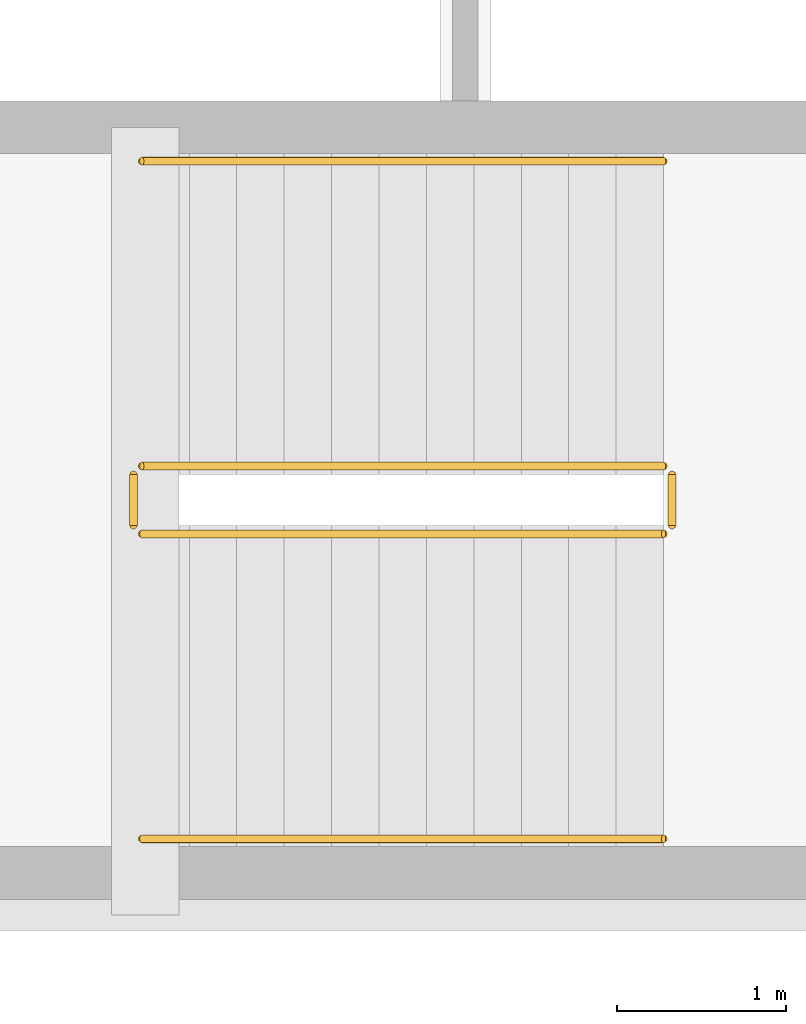
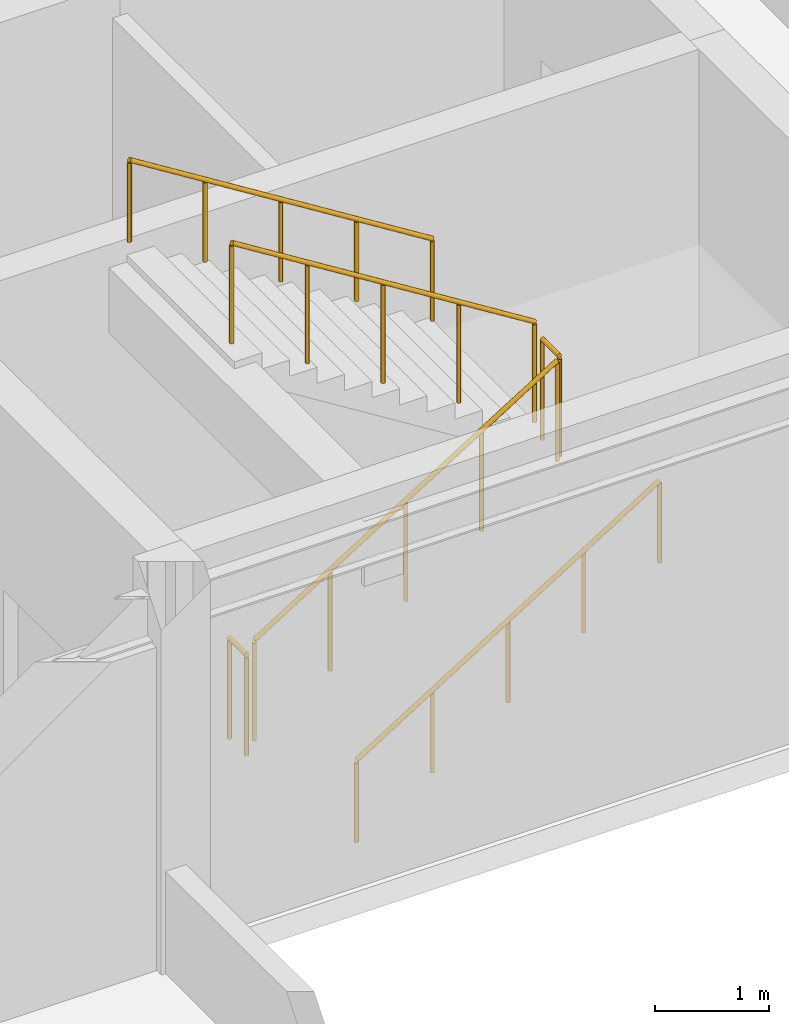
# One storey, part 51 of 54: 6 railings.
"""IFC4 building model written with IfcOpenShell, lengths in metres."""

from ifc_helpers import new_model, si_unit, direction, frame, origin, origin_2d, place, context, subcontext, project, spatial, circle, extrude, material, type_object, element, save


model = new_model("IFC4")

# Units and contexts
model_context = context("Model", 3, precision=1e-05, world=origin(), true_north=direction((0.0, 1.0)))
body_context = subcontext(model_context, "Body", "Model", "MODEL_VIEW")
ifc_project = project(units=[si_unit("LENGTHUNIT", "METRE"), si_unit("AREAUNIT", "SQUARE_METRE"), si_unit("VOLUMEUNIT", "CUBIC_METRE"), si_unit("PLANEANGLEUNIT", "RADIAN"), si_unit("MASSUNIT", "GRAM", prefix="KILO")], contexts=[model_context])

# Site, building, storey
site_placement = place(None, origin())
site = spatial("IfcSite", under=ifc_project, at=site_placement, CompositionType="ELEMENT")
building_placement = place(site_placement, origin())
building = spatial("IfcBuilding", under=site, at=building_placement, Name="Parian Resonance Hall", CompositionType="ELEMENT")
storey_placement = place(building_placement, frame((0.0, 0.0, 15.0)))
storey = spatial("IfcBuildingStorey", under=building, at=storey_placement, Name="L03", CompositionType="ELEMENT", Elevation=15.0)

# Railings
ifc_material_1 = material(Name="Patinated bronze whiplash metalwork")
railing_type_1 = type_object("IfcRailingType", Name="RAIL-STAIR-GRD-1100", PredefinedType="GUARDRAIL", material=ifc_material_1)
railing_1_placement = place(storey_placement, frame((123.639892578125, 50.85009765625, 0.175048828125)))
element("IfcRailing", 1, at=railing_1_placement, inside=storey, type_object=railing_type_1, Name="L03 ST-02 stair guard 1", PredefinedType="GUARDRAIL", context=body_context, shape_type="SweptSolid", body=[
    extrude(circle(Radius=0.02392578125, at=origin_2d()), frame((0.0, 0.0, 1.076171875), z_axis=(0.847998304005, 0.0, 0.529998940003), x_axis=(0.0, 1.0, 0.0)), (0.0, 0.0, 1.0), 3.632080078125),
    extrude(circle(Radius=0.02099609375, at=origin_2d()), origin(), (0.0, 0.0, 1.0), 1.052001953125),
    extrude(circle(Radius=0.02099609375, at=origin_2d()), frame((0.77001953125, 0.0, 0.481201171875)), (0.0, 0.0, 1.0), 1.052001953125),
    extrude(circle(Radius=0.02099609375, at=origin_2d()), frame((1.5400390625, 0.0, 0.96240234375)), (0.0, 0.0, 1.0), 1.052001953125),
    extrude(circle(Radius=0.02099609375, at=origin_2d()), frame((2.31005859375, 0.0, 1.44384765625)), (0.0, 0.0, 1.0), 1.052001953125),
    extrude(circle(Radius=0.02099609375, at=origin_2d()), frame((3.080078125, 0.0, 1.925048828125)), (0.0, 0.0, 1.0), 1.052001953125),
])
railing_2_placement = place(storey_placement, frame((126.77001953125, 50.89990234375, 2.10009765625)))
element("IfcRailing", 2, at=railing_2_placement, inside=storey, type_object=railing_type_1, Name="L03 ST-02 stair guard 2", PredefinedType="GUARDRAIL", context=body_context, shape_type="SweptSolid", body=[
    extrude(circle(Radius=0.02392578125, at=origin_2d()), frame((0.0, 0.0, 1.076171875), z_axis=(0.0, 1.0, 0.0), x_axis=(-1.0, 0.0, 0.0)), (0.0, 0.0, 1.0), 0.300048828125),
    extrude(circle(Radius=0.02099609375, at=origin_2d()), origin(), (0.0, 0.0, 1.0), 1.052001953125),
    extrude(circle(Radius=0.02099609375, at=origin_2d()), frame((0.0, 0.300048828125, 0.0)), (0.0, 0.0, 1.0), 1.052001953125),
])
railing_3_placement = place(storey_placement, frame((126.719970703125, 51.25, 2.27490234375)))
element("IfcRailing", 3, at=railing_3_placement, inside=storey, type_object=railing_type_1, Name="L03 ST-02 stair guard 3", PredefinedType="GUARDRAIL", context=body_context, shape_type="SweptSolid", body=[
    extrude(circle(Radius=0.02392578125, at=origin_2d()), frame((0.0, 0.0, 1.076171875), z_axis=(-0.847998304005, 0.0, 0.529998940003), x_axis=(0.0, -1.0, 0.0)), (0.0, 0.0, 1.0), 3.632080078125),
    extrude(circle(Radius=0.02099609375, at=origin_2d()), origin(), (0.0, 0.0, 1.0), 1.052001953125),
    extrude(circle(Radius=0.02099609375, at=origin_2d()), frame((-0.77001953125, 0.0, 0.481201171875)), (0.0, 0.0, 1.0), 1.052001953125),
    extrude(circle(Radius=0.02099609375, at=origin_2d()), frame((-1.5400390625, 0.0, 0.96240234375)), (0.0, 0.0, 1.0), 1.052001953125),
    extrude(circle(Radius=0.02099609375, at=origin_2d()), frame((-2.31005859375, 0.0, 1.44384765625)), (0.0, 0.0, 1.0), 1.052001953125),
    extrude(circle(Radius=0.02099609375, at=origin_2d()), frame((-3.080078125, 0.0, 1.925048828125)), (0.0, 0.0, 1.0), 1.052001953125),
])
railing_4_placement = place(storey_placement, frame((123.590087890625, 50.89990234375, 0.0)))
element("IfcRailing", 4, at=railing_4_placement, inside=storey, type_object=railing_type_1, Name="L03 ST-02 stair guard 4", PredefinedType="GUARDRAIL", context=body_context, shape_type="SweptSolid", body=[
    extrude(circle(Radius=0.02392578125, at=origin_2d()), frame((0.0, 0.0, 1.076171875), z_axis=(0.0, 1.0, 0.0), x_axis=(-1.0, 0.0, 0.0)), (0.0, 0.0, 1.0), 0.300048828125),
    extrude(circle(Radius=0.02099609375, at=origin_2d()), origin(), (0.0, 0.0, 1.0), 1.052001953125),
    extrude(circle(Radius=0.02099609375, at=origin_2d()), frame((0.0, 0.300048828125, 0.0)), (0.0, 0.0, 1.0), 1.052001953125),
])
ifc_material_2 = material(Name="Patinated bronze whiplash metalwork")
railing_type_2 = type_object("IfcRailingType", Name="RAIL-STAIR-HR-900", PredefinedType="HANDRAIL", material=ifc_material_2)
railing_5_placement = place(storey_placement, frame((123.639892578125, 49.050048828125, 0.175048828125)))
element("IfcRailing", 5, at=railing_5_placement, inside=storey, type_object=railing_type_2, Name="L03 ST-02 stair handrail 1", PredefinedType="HANDRAIL", context=body_context, shape_type="SweptSolid", body=[
    extrude(circle(Radius=0.02392578125, at=origin_2d()), frame((0.0, 0.0, 0.8759765625), z_axis=(0.847998304005, 0.0, 0.529998940003), x_axis=(0.0, 1.0, 0.0)), (0.0, 0.0, 1.0), 3.632080078125),
    extrude(circle(Radius=0.02099609375, at=origin_2d()), origin(), (0.0, 0.0, 1.0), 0.851806640625),
    extrude(circle(Radius=0.02099609375, at=origin_2d()), frame((0.77001953125, 0.0, 0.481201171875)), (0.0, 0.0, 1.0), 0.851806640625),
    extrude(circle(Radius=0.02099609375, at=origin_2d()), frame((1.5400390625, 0.0, 0.96240234375)), (0.0, 0.0, 1.0), 0.851806640625),
    extrude(circle(Radius=0.02099609375, at=origin_2d()), frame((2.31005859375, 0.0, 1.44384765625)), (0.0, 0.0, 1.0), 0.851806640625),
    extrude(circle(Radius=0.02099609375, at=origin_2d()), frame((3.080078125, 0.0, 1.925048828125)), (0.0, 0.0, 1.0), 0.851806640625),
])
railing_6_placement = place(storey_placement, frame((126.719970703125, 53.050048828125, 2.27490234375)))
element("IfcRailing", 6, at=railing_6_placement, inside=storey, type_object=railing_type_2, Name="L03 ST-02 stair handrail 2", PredefinedType="HANDRAIL", context=body_context, shape_type="SweptSolid", body=[
    extrude(circle(Radius=0.02392578125, at=origin_2d()), frame((0.0, 0.0, 0.8759765625), z_axis=(-0.847998304005, 0.0, 0.529998940003), x_axis=(0.0, -1.0, 0.0)), (0.0, 0.0, 1.0), 3.632080078125),
    extrude(circle(Radius=0.02099609375, at=origin_2d()), origin(), (0.0, 0.0, 1.0), 0.851806640625),
    extrude(circle(Radius=0.02099609375, at=origin_2d()), frame((-0.77001953125, 0.0, 0.481201171875)), (0.0, 0.0, 1.0), 0.851806640625),
    extrude(circle(Radius=0.02099609375, at=origin_2d()), frame((-1.5400390625, 0.0, 0.96240234375)), (0.0, 0.0, 1.0), 0.851806640625),
    extrude(circle(Radius=0.02099609375, at=origin_2d()), frame((-2.31005859375, 0.0, 1.44384765625)), (0.0, 0.0, 1.0), 0.851806640625),
    extrude(circle(Radius=0.02099609375, at=origin_2d()), frame((-3.080078125, 0.0, 1.925048828125)), (0.0, 0.0, 1.0), 0.851806640625),
])

save(model, "model.ifc")
